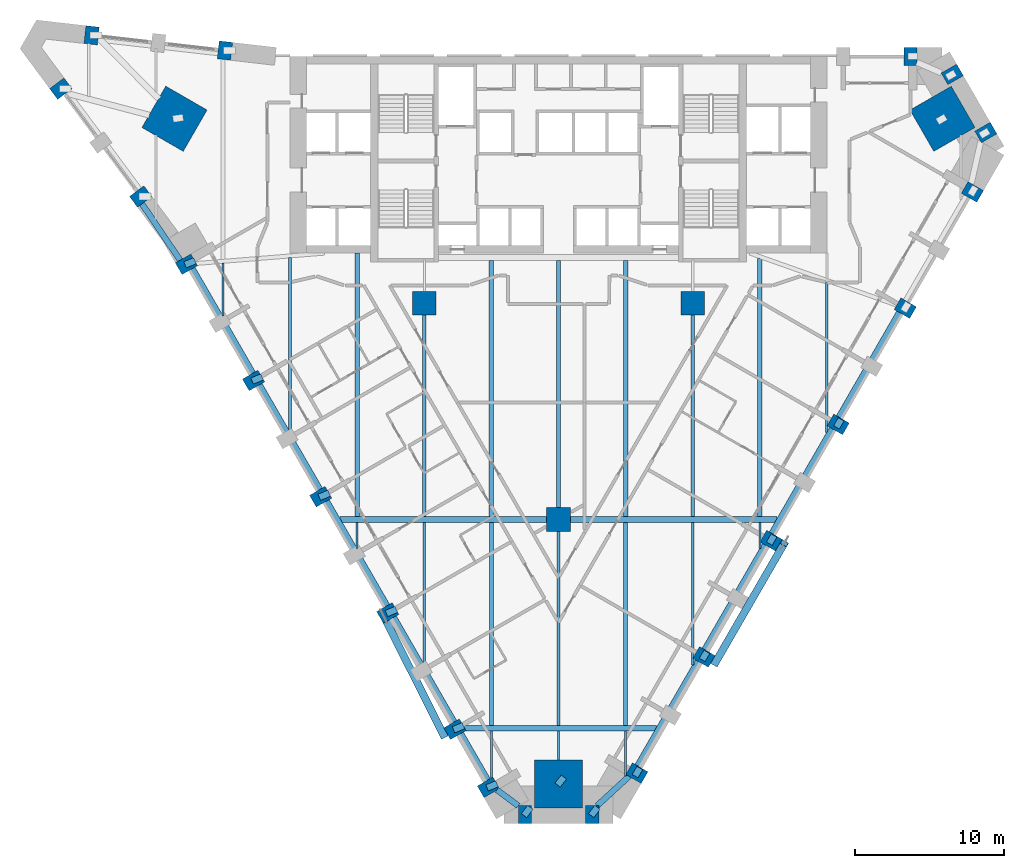
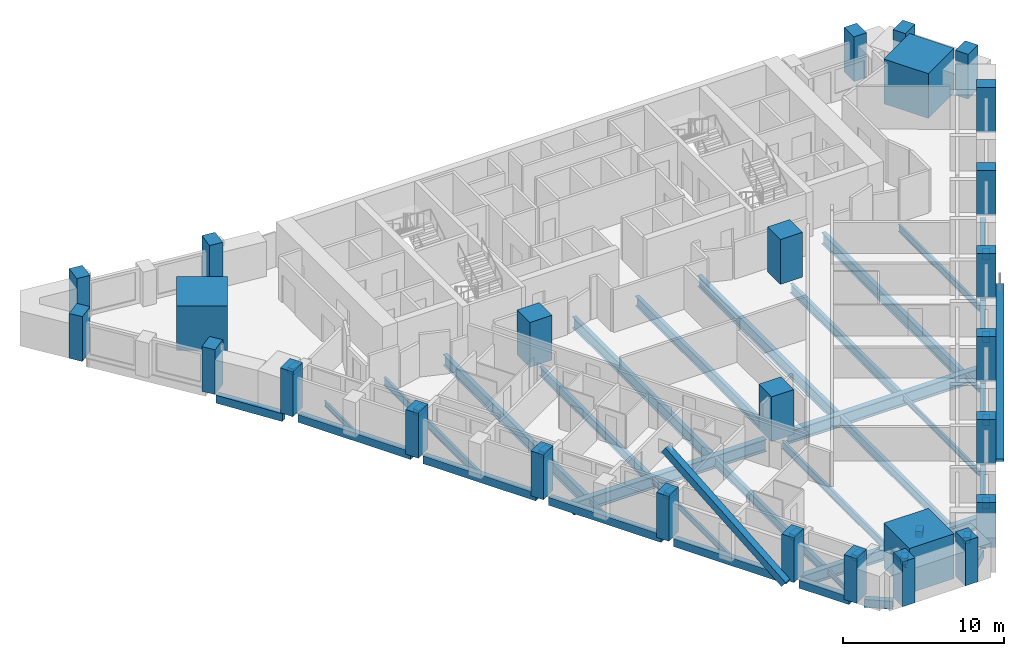
# One storey, part 1 of 11: 48 beams, 27 columns, 2 members.
"""IFC4 building model written with IfcOpenShell, lengths in metres."""

from ifc_helpers import new_model, si_unit, direction, frame, origin, origin_2d, place, context, subcontext, project, spatial, rectangle, hollow_rectangle, i_section, extrude, material, material_profile, profile_set, type_object, element, save


model = new_model("IFC4")

# Units and contexts
model_context = context("Model", 3, precision=1e-05, world=origin(), true_north=direction((0.0, 1.0)))
body_context = subcontext(model_context, "Body", "Model", "MODEL_VIEW")
ifc_project = project(units=[si_unit("LENGTHUNIT", "METRE"), si_unit("AREAUNIT", "SQUARE_METRE"), si_unit("VOLUMEUNIT", "CUBIC_METRE"), si_unit("PLANEANGLEUNIT", "RADIAN"), si_unit("MASSUNIT", "GRAM", prefix="KILO")], contexts=[model_context])

# Site, building, storey
site_placement = place(None, origin())
site = spatial("IfcSite", under=ifc_project, at=site_placement, CompositionType="ELEMENT")
building_placement = place(site_placement, origin())
building = spatial("IfcBuilding", under=site, at=building_placement, Name="Calabash Gate Tower", CompositionType="ELEMENT")
storey_placement = place(building_placement, frame((0.0, 0.0, 52.800048828125)))
storey = spatial("IfcBuildingStorey", under=building, at=storey_placement, Name="L08", CompositionType="ELEMENT", Elevation=52.800048828125)

# Columns
ifc_material_1 = material(Name="Concrete C80/95", Category="concrete")
ifc_material_profile_1 = material_profile(ifc_material_1, rectangle(XDim=1.60009765625, YDim=1.60009765625, at=origin_2d()))
ifc_profile_set_1 = profile_set([ifc_material_profile_1], Name="Concrete C80/95")
column_type_1 = type_object("IfcColumnType", Name="Interior column RC 1600x1600 Concrete C80/95", PredefinedType="COLUMN", material=ifc_profile_set_1)
for number, where, z_axis, x_axis, name in (
    (1, (-9.0, 2.5, 0.0), (0.0, 0.0, 1.0), (1.0, 0.0, 0.0), "Interior column L08 I0"),
    (2, (9.0, 2.5, 0.0), (0.0, 0.0, 1.0), (1.0, 0.0, 0.0), "Interior column L08 I1"),
    (3, (0.0, -12.0, 0.0), (0.0, 0.0, 1.0), (1.0, 0.0, 0.0), "Interior column L08 I2"),
):
    element("IfcColumn", number, at=place(storey_placement, frame(where, z_axis=z_axis, x_axis=x_axis)), inside=storey, type_object=column_type_1, Name=name, PredefinedType="COLUMN", context=body_context, shape_type="SweptSolid", body=[
        extrude(rectangle(XDim=1.60009765625, YDim=1.60009765625, at=origin_2d()), origin(), (0.0, 0.0, 1.0), 3.39990234375),
    ])
ifc_material_2 = material(Name="Concrete C80/95", Category="concrete")
ifc_material_profile_2 = material_profile(ifc_material_2, rectangle(XDim=3.199951171875, YDim=3.199951171875, at=origin_2d()))
ifc_profile_set_2 = profile_set([ifc_material_profile_2], Name="Concrete C80/95")
column_type_2 = type_object("IfcColumnType", Name="Mega column RC 3200x3200 Concrete C80/95", PredefinedType="COLUMN", material=ifc_profile_set_2)
for number, where, z_axis, x_axis, name in (
    (4, (-25.75, 14.866943359375, 0.0), (0.0, 0.0, 1.0), (0.866025386331, -0.50000003023, 0.0), "Mega column L08 NW"),
    (5, (25.75, 14.866943359375, 0.0), (0.0, 0.0, 1.0), (-0.866025386331, -0.50000003023, 0.0), "Mega column L08 NE"),
    (6, (0.0, -29.73291015625, 0.0), (0.0, 0.0, 1.0), (0.0, 1.0, 0.0), "Mega column L08 S"),
):
    element("IfcColumn", number, at=place(storey_placement, frame(where, z_axis=z_axis, x_axis=x_axis)), inside=storey, type_object=column_type_2, Name=name, PredefinedType="COLUMN", context=body_context, shape_type="SweptSolid", body=[
        extrude(rectangle(XDim=3.199951171875, YDim=3.199951171875, at=origin_2d()), origin(), (0.0, 0.0, 1.0), 3.39990234375),
    ])
ifc_material_3 = material(Name="Concrete C70/85", Category="concrete")
ifc_material_profile_3 = material_profile(ifc_material_3, rectangle(XDim=0.89990234375, YDim=1.199951171875, at=origin_2d()))
ifc_profile_set_3 = profile_set([ifc_material_profile_3], Name="Concrete C70/85")
column_type_3 = type_object("IfcColumnType", Name="Perimeter column RC 900x1200 Concrete C70/85", PredefinedType="COLUMN", material=ifc_profile_set_3)
for number, where, z_axis, x_axis, name in (
    (7, (-24.949951171875, 5.110107421875, 0.0), (0.0, 0.0, 1.0), (0.5, -0.866025403784, 0.0), "Perimeter column L08 P00"),
    (8, (-20.449951171875, -2.68310546875, 0.0), (0.0, 0.0, 1.0), (0.5, -0.866025403784, 0.0), "Perimeter column L08 P01"),
    (9, (-15.949951171875, -10.47900390625, 0.0), (0.0, 0.0, 1.0), (0.5, -0.866025403784, 0.0), "Perimeter column L08 P02"),
    (10, (-11.449951171875, -18.27294921875, 0.0), (0.0, 0.0, 1.0), (0.5, -0.866025403784, 0.0), "Perimeter column L08 P03"),
    (11, (-6.949951171875, -26.06689453125, 0.0), (0.0, 0.0, 1.0), (0.5, -0.866025403784, 0.0), "Perimeter column L08 P04"),
    (12, (-4.699951171875, -29.964111328125, 0.0), (0.0, 0.0, 1.0), (0.5, -0.866025403784, 0.0), "Perimeter column L08 P05"),
    (13, (-2.25, -31.782958984375, 0.0), (0.0, 0.0, 1.0), (1.0, 0.0, 0.0), "Perimeter column L08 P06"),
    (14, (2.25, -31.782958984375, 0.0), (0.0, 0.0, 1.0), (1.0, 0.0, 0.0), "Perimeter column L08 P07"),
    (15, (5.25, -29.011962890625, 0.0), (0.0, 0.0, 1.0), (0.5, 0.866025403784, 0.0), "Perimeter column L08 P08"),
    (16, (9.75, -21.218017578125, 0.0), (0.0, 0.0, 1.0), (0.5, 0.866025403784, 0.0), "Perimeter column L08 P09"),
    (17, (14.25, -13.423095703125, 0.0), (0.0, 0.0, 1.0), (0.5, 0.866025403784, 0.0), "Perimeter column L08 P10"),
    (18, (18.75, -5.62890625, 0.0), (0.0, 0.0, 1.0), (0.5, 0.866025403784, 0.0), "Perimeter column L08 P11"),
    (19, (23.25, 2.1669921875, 0.0), (0.0, 0.0, 1.0), (0.5, 0.866025403784, 0.0), "Perimeter column L08 P12"),
    (20, (27.75, 9.958984375, 0.0), (0.0, 0.0, 1.0), (0.5, 0.866025403784, 0.0), "Perimeter column L08 P13"),
    (21, (28.64990234375, 13.943115234375, 0.0), (0.0, 0.0, 1.0), (-0.49999996977, 0.866025421238, 0.0), "Perimeter column L08 P14"),
    (22, (26.39990234375, 17.840087890625, 0.0), (0.0, 0.0, 1.0), (-0.49999996977, 0.866025421238, 0.0), "Perimeter column L08 P15"),
    (23, (23.60009765625, 19.052978515625, 0.0), (0.0, 0.0, 1.0), (-1.0, 0.0, 0.0), "Perimeter column L08 P16"),
    (24, (-22.366943359375, 19.43798828125, 0.0), (0.0, 0.0, 1.0), (-0.993506319736, 0.113776942504, 0.0), "Perimeter column L08 P17"),
    (25, (-31.30908203125, 20.4619140625, 0.0), (0.0, 0.0, 1.0), (-0.993506319736, 0.113776942504, 0.0), "Perimeter column L08 P18"),
    (26, (-33.373046875, 16.883056640625, 0.0), (0.0, 0.0, 1.0), (0.595286896465, -0.80351323007, 0.0), "Perimeter column L08 P19"),
    (27, (-28.01806640625, 9.65087890625, 0.0), (0.0, 0.0, 1.0), (0.595286896465, -0.80351323007, 0.0), "Perimeter column L08 P20"),
):
    element("IfcColumn", number, at=place(storey_placement, frame(where, z_axis=z_axis, x_axis=x_axis)), inside=storey, type_object=column_type_3, Name=name, PredefinedType="COLUMN", context=body_context, shape_type="SweptSolid", body=[
        extrude(rectangle(XDim=0.89990234375, YDim=1.199951171875, at=origin_2d()), origin(), (0.0, 0.0, 1.0), 3.39990234375),
    ])

# Beams
ifc_material_4 = material(Name="Concrete C80/95", Category="concrete")
ifc_material_profile_4 = material_profile(ifc_material_4, rectangle(XDim=0.449951171875, YDim=0.449951171875, at=origin_2d()))
ifc_profile_set_4 = profile_set([ifc_material_profile_4], Name="Concrete C80/95")
beam_type_1 = type_object("IfcBeamType", Name="Column offset link RC 450x450 Concrete C80/95", PredefinedType="BEAM", material=ifc_profile_set_4)
for number, where, z_axis, x_axis, name in (
    (28, (-25.0419921875, 5.071044921875, 3.00390625), (0.922112578583, 0.386921687709, 0.0), (-0.386921687709, 0.922112578583, 0.0), "Column offset link L08 P00"),
    (29, (-20.5419921875, -2.722900390625, 3.00390625), (0.922233326358, 0.386633795412, 0.0), (-0.386633795412, 0.922233326358, 0.0), "Column offset link L08 P01"),
    (30, (-16.0419921875, -10.51806640625, 3.00390625), (0.922112578583, 0.386921687709, 0.0), (-0.386921687709, 0.922112578583, 0.0), "Column offset link L08 P02"),
    (31, (-11.5419921875, -18.31201171875, 3.00390625), (0.922112578583, 0.386921687709, 0.0), (-0.386921687709, 0.922112578583, 0.0), "Column offset link L08 P03"),
    (32, (-7.0419921875, -26.10595703125, 3.00390625), (0.922112578583, 0.386921687709, 0.0), (-0.386921687709, 0.922112578583, 0.0), "Column offset link L08 P04"),
    (33, (-4.7919921875, -30.0029296875, 3.00390625), (0.922233326358, 0.386633795412, 0.0), (-0.386633795412, 0.922233326358, 0.0), "Column offset link L08 P05"),
):
    element("IfcBeam", number, at=place(storey_placement, frame(where, z_axis=z_axis, x_axis=x_axis)), inside=storey, type_object=beam_type_1, Name=name, PredefinedType="BEAM", context=body_context, shape_type="SweptSolid", body=[
        extrude(rectangle(XDim=0.449951171875, YDim=0.449951171875, at=origin_2d()), origin(), (0.0, 0.0, 1.0), 0.72119140625),
    ])
for number, where, z_axis, x_axis, name in (
    (34, (-2.30908203125, -31.864013671875, 3.00390625), (0.594528073435, 0.804074853417, 0.0), (-0.804074853417, 0.594528073435, 0.0), "Column offset link L08 P06"),
    (35, (2.19091796875, -31.864013671875, 3.00390625), (0.594528073435, 0.804074853417, 0.0), (-0.804074853417, 0.594528073435, 0.0), "Column offset link L08 P07"),
):
    element("IfcBeam", number, at=place(storey_placement, frame(where, z_axis=z_axis, x_axis=x_axis)), inside=storey, type_object=beam_type_1, Name=name, PredefinedType="BEAM", context=body_context, shape_type="SweptSolid", body=[
        extrude(rectangle(XDim=0.449951171875, YDim=0.449951171875, at=origin_2d()), origin(), (0.0, 0.0, 1.0), 0.701416015625),
    ])
for number, where, z_axis, x_axis, name in (
    (36, (5.134033203125, -29.2119140625, 3.00390625), (0.500393920955, 0.865797853931, 0.0), (-0.865797853931, 0.500393920955, 0.0), "Column offset link L08 P08"),
    (37, (9.634033203125, -21.41796875, 3.00390625), (0.500393920955, 0.865797853931, 0.0), (-0.865797853931, 0.500393920955, 0.0), "Column offset link L08 P09"),
):
    element("IfcBeam", number, at=place(storey_placement, frame(where, z_axis=z_axis, x_axis=x_axis)), inside=storey, type_object=beam_type_1, Name=name, PredefinedType="BEAM", context=body_context, shape_type="SweptSolid", body=[
        extrude(rectangle(XDim=0.449951171875, YDim=0.449951171875, at=origin_2d()), origin(), (0.0, 0.0, 1.0), 0.62939453125),
    ])
for number, where, z_axis, x_axis, name in (
    (38, (14.134033203125, -13.6240234375, 3.00390625), (0.499554821267, 0.866282275329, 0.0), (-0.866282275329, 0.499554821267, 0.0), "Column offset link L08 P10"),
    (39, (18.634033203125, -5.830078125, 3.00390625), (0.499554821267, 0.866282275329, 0.0), (-0.866282275329, 0.499554821267, 0.0), "Column offset link L08 P11"),
):
    element("IfcBeam", number, at=place(storey_placement, frame(where, z_axis=z_axis, x_axis=x_axis)), inside=storey, type_object=beam_type_1, Name=name, PredefinedType="BEAM", context=body_context, shape_type="SweptSolid", body=[
        extrude(rectangle(XDim=0.449951171875, YDim=0.449951171875, at=origin_2d()), origin(), (0.0, 0.0, 1.0), 0.63037109375),
    ])
beam_1_placement = place(storey_placement, frame((-0.06201171875, -29.81201171875, 3.00390625), z_axis=(0.6165293764, 0.787331904622, 0.0), x_axis=(-0.787331904622, 0.6165293764, 0.0)))
element("IfcBeam", 40, at=beam_1_placement, inside=storey, type_object=beam_type_1, Name="Column offset link L08 S", PredefinedType="BEAM", context=body_context, shape_type="SweptSolid", body=[
    extrude(rectangle(XDim=0.449951171875, YDim=0.449951171875, at=origin_2d()), origin(), (0.0, 0.0, 1.0), 0.6845703125),
])
ifc_material_5 = material(Name="Concrete C60/75", Category="concrete")
ifc_material_profile_5 = material_profile(ifc_material_5, rectangle(XDim=0.39990234375, YDim=0.60009765625, at=origin_2d()))
ifc_profile_set_5 = profile_set([ifc_material_profile_5], Name="Concrete C60/75")
beam_type_2 = type_object("IfcBeamType", Name="Edge beam RC 400x600 Concrete C60/75", PredefinedType="BEAM", material=ifc_profile_set_5)
beam_2_placement = place(storey_placement, frame((-20.052001953125, -2.97412109375, -0.469970703125), z_axis=(0.499999880539, -0.866025472755, 0.0), x_axis=(0.866025472755, 0.499999880539, 0.0)))
element("IfcBeam", 41, at=beam_2_placement, inside=storey, type_object=beam_type_2, Name="Edge beam L08 1", PredefinedType="BEAM", context=body_context, shape_type="SweptSolid", body=[
    extrude(rectangle(XDim=0.39990234375, YDim=0.60009765625, at=origin_2d()), origin(), (0.0, 0.0, 1.0), 8.10009765625),
])
beam_3_placement = place(storey_placement, frame((-15.552001953125, -10.76904296875, -0.469970703125), z_axis=(0.50005208986, -0.865995327601, 0.0), x_axis=(0.865995327601, 0.50005208986, 0.0)))
element("IfcBeam", 42, at=beam_3_placement, inside=storey, type_object=beam_type_2, Name="Edge beam L08 2", PredefinedType="BEAM", context=body_context, shape_type="SweptSolid", body=[
    extrude(rectangle(XDim=0.39990234375, YDim=0.60009765625, at=origin_2d()), origin(), (0.0, 0.0, 1.0), 8.099365234375),
])
beam_4_placement = place(storey_placement, frame((-11.052001953125, -18.56298828125, -0.469970703125), z_axis=(0.499999880539, -0.866025472755, 0.0), x_axis=(0.866025472755, 0.499999880539, 0.0)))
element("IfcBeam", 43, at=beam_4_placement, inside=storey, type_object=beam_type_2, Name="Edge beam L08 3", PredefinedType="BEAM", context=body_context, shape_type="SweptSolid", body=[
    extrude(rectangle(XDim=0.39990234375, YDim=0.60009765625, at=origin_2d()), origin(), (0.0, 0.0, 1.0), 8.10009765625),
])
beam_5_placement = place(storey_placement, frame((-6.552001953125, -26.35693359375, -0.469970703125), z_axis=(0.500217689534, -0.865899684188, 0.0), x_axis=(0.865899684188, 0.500217689534, 0.0)))
element("IfcBeam", 44, at=beam_5_placement, inside=storey, type_object=beam_type_2, Name="Edge beam L08 4", PredefinedType="BEAM", context=body_context, shape_type="SweptSolid", body=[
    extrude(rectangle(XDim=0.39990234375, YDim=0.60009765625, at=origin_2d()), origin(), (0.0, 0.0, 1.0), 3.5986328125),
])
beam_6_placement = place(storey_placement, frame((-4.133056640625, -30.133056640625, -0.469970703125), z_axis=(0.802126667383, -0.59715392444, 0.0), x_axis=(0.59715392444, 0.802126667383, 0.0)))
element("IfcBeam", 45, at=beam_6_placement, inside=storey, type_object=beam_type_2, Name="Edge beam L08 5", PredefinedType="BEAM", context=body_context, shape_type="SweptSolid", body=[
    extrude(rectangle(XDim=0.39990234375, YDim=0.60009765625, at=origin_2d()), origin(), (0.0, 0.0, 1.0), 1.78662109375),
])
beam_7_placement = place(storey_placement, frame((2.5810546875, -31.202880859375, -0.469970703125), z_axis=(0.734549341338, 0.67855527788, 0.0), x_axis=(-0.67855527788, 0.734549341338, 0.0)))
element("IfcBeam", 46, at=beam_7_placement, inside=storey, type_object=beam_type_2, Name="Edge beam L08 6", PredefinedType="BEAM", context=body_context, shape_type="SweptSolid", body=[
    extrude(rectangle(XDim=0.39990234375, YDim=0.60009765625, at=origin_2d()), origin(), (0.0, 0.0, 1.0), 2.947509765625),
])
beam_8_placement = place(storey_placement, frame((5.302001953125, -28.52197265625, -0.469970703125), z_axis=(0.499999880539, 0.866025472755, 0.0), x_axis=(-0.866025472755, 0.499999880539, 0.0)))
element("IfcBeam", 47, at=beam_8_placement, inside=storey, type_object=beam_type_2, Name="Edge beam L08 7", PredefinedType="BEAM", context=body_context, shape_type="SweptSolid", body=[
    extrude(rectangle(XDim=0.39990234375, YDim=0.60009765625, at=origin_2d()), origin(), (0.0, 0.0, 1.0), 8.10009765625),
])
for number, where, z_axis, x_axis, name in (
    (48, (9.802001953125, -20.72802734375, -0.469970703125), (0.499986829629, 0.866033007568, 0.0), (-0.866033007568, 0.499986829629, 0.0), "Edge beam L08 8"),
    (49, (14.302001953125, -12.93408203125, -0.469970703125), (0.499986829629, 0.866033007568, 0.0), (-0.866033007568, 0.499986829629, 0.0), "Edge beam L08 9"),
):
    element("IfcBeam", number, at=place(storey_placement, frame(where, z_axis=z_axis, x_axis=x_axis)), inside=storey, type_object=beam_type_2, Name=name, PredefinedType="BEAM", context=body_context, shape_type="SweptSolid", body=[
        extrude(rectangle(XDim=0.39990234375, YDim=0.60009765625, at=origin_2d()), origin(), (0.0, 0.0, 1.0), 8.100341796875),
    ])
beam_9_placement = place(storey_placement, frame((18.802001953125, -5.138916015625, -0.469970703125), z_axis=(0.499947680303, 0.866055608468, 0.0), x_axis=(-0.866055608468, 0.499947680303, 0.0)))
element("IfcBeam", 50, at=beam_9_placement, inside=storey, type_object=beam_type_2, Name="Edge beam L08 10", PredefinedType="BEAM", context=body_context, shape_type="SweptSolid", body=[
    extrude(rectangle(XDim=0.39990234375, YDim=0.60009765625, at=origin_2d()), origin(), (0.0, 0.0, 1.0), 8.100830078125),
])
beam_10_placement = place(storey_placement, frame((-27.93896484375, 9.177001953125, -0.469970703125), z_axis=(0.559945084616, -0.828529723193, 0.0), x_axis=(0.828529723193, 0.559945084616, 0.0)))
element("IfcBeam", 51, at=beam_10_placement, inside=storey, type_object=beam_type_2, Name="Edge beam L08 18", PredefinedType="BEAM", context=body_context, shape_type="SweptSolid", body=[
    extrude(rectangle(XDim=0.39990234375, YDim=0.60009765625, at=origin_2d()), origin(), (0.0, 0.0, 1.0), 4.5986328125),
])
beam_11_placement = place(storey_placement, frame((-24.552001953125, 4.820068359375, -0.469970703125), z_axis=(0.500091252813, -0.865972712538, 0.0), x_axis=(0.865972712538, 0.500091252813, 0.0)))
element("IfcBeam", 52, at=beam_11_placement, inside=storey, type_object=beam_type_2, Name="Edge beam L08 19", PredefinedType="BEAM", context=body_context, shape_type="SweptSolid", body=[
    extrude(rectangle(XDim=0.39990234375, YDim=0.60009765625, at=origin_2d()), origin(), (0.0, 0.0, 1.0), 8.0986328125),
])
ifc_material_6 = material(Name="Steel ASTM A992 Gr50", Category="steel")
ifc_material_profile_6 = material_profile(ifc_material_6, i_section(OverallWidth=0.1396484375, OverallDepth=0.398681640625, WebThickness=0.00634765625, FlangeThickness=0.0087890625, FilletRadius=0.01025390625, at=origin_2d()))
ifc_profile_set_6 = profile_set([ifc_material_profile_6], Name="Steel ASTM A992 Gr50")
beam_type_3 = type_object("IfcBeamType", Name="Floor beam W16x26 ASTM A992 Gr50", PredefinedType="BEAM", material=ifc_profile_set_6)
beam_12_placement = place(storey_placement, frame((-22.5, 1.634033203125, -0.369140625), z_axis=(0.0, 1.0, 0.0), x_axis=(-1.0, 0.0, 0.0)))
element("IfcBeam", 53, at=beam_12_placement, inside=storey, type_object=beam_type_3, Name="Floor beam L08 4", PredefinedType="BEAM", context=body_context, shape_type="SweptSolid", body=[
    extrude(i_section(OverallWidth=0.1396484375, OverallDepth=0.398681640625, WebThickness=0.00634765625, FlangeThickness=0.0087890625, FilletRadius=0.01025390625, at=origin_2d()), origin(), (0.0, 0.0, 1.0), 3.56298828125),
])
beam_13_placement = place(storey_placement, frame((-13.5, -13.9541015625, -0.369140625), z_axis=(0.0, 1.0, 0.0), x_axis=(-1.0, 0.0, 0.0)))
element("IfcBeam", 54, at=beam_13_placement, inside=storey, type_object=beam_type_3, Name="Floor beam L08 7", PredefinedType="BEAM", context=body_context, shape_type="SweptSolid", body=[
    extrude(i_section(OverallWidth=0.1396484375, OverallDepth=0.398681640625, WebThickness=0.00634765625, FlangeThickness=0.0087890625, FilletRadius=0.01025390625, at=origin_2d()), origin(), (0.0, 0.0, 1.0), 1.744140625),
])
beam_14_placement = place(storey_placement, frame((-4.5, -29.35107421875, -0.369140625), z_axis=(0.0, 1.0, 0.0), x_axis=(-1.0, 0.0, 0.0)))
element("IfcBeam", 55, at=beam_14_placement, inside=storey, type_object=beam_type_3, Name="Floor beam L08 12", PredefinedType="BEAM", context=body_context, shape_type="SweptSolid", body=[
    extrude(i_section(OverallWidth=0.1396484375, OverallDepth=0.398681640625, WebThickness=0.00634765625, FlangeThickness=0.0087890625, FilletRadius=0.01025390625, at=origin_2d()), origin(), (0.0, 0.0, 1.0), 3.152099609375),
])
beam_15_placement = place(storey_placement, frame((0.0, -28.133056640625, -0.369140625), z_axis=(0.0, 1.0, 0.0), x_axis=(-1.0, 0.0, 0.0)))
element("IfcBeam", 56, at=beam_15_placement, inside=storey, type_object=beam_type_3, Name="Floor beam L08 15", PredefinedType="BEAM", context=body_context, shape_type="SweptSolid", body=[
    extrude(i_section(OverallWidth=0.1396484375, OverallDepth=0.398681640625, WebThickness=0.00634765625, FlangeThickness=0.0087890625, FilletRadius=0.01025390625, at=origin_2d()), origin(), (0.0, 0.0, 1.0), 1.93408203125),
])
beam_16_placement = place(storey_placement, frame((4.5, -29.19189453125, -0.369140625), z_axis=(0.0, 1.0, 0.0), x_axis=(-1.0, 0.0, 0.0)))
element("IfcBeam", 57, at=beam_16_placement, inside=storey, type_object=beam_type_3, Name="Floor beam L08 18", PredefinedType="BEAM", context=body_context, shape_type="SweptSolid", body=[
    extrude(i_section(OverallWidth=0.1396484375, OverallDepth=0.398681640625, WebThickness=0.00634765625, FlangeThickness=0.0087890625, FilletRadius=0.01025390625, at=origin_2d()), origin(), (0.0, 0.0, 1.0), 2.992919921875),
])
beam_17_placement = place(storey_placement, frame((13.5, -13.9541015625, -0.369140625), z_axis=(0.0, 1.0, 0.0), x_axis=(-1.0, 0.0, 0.0)))
element("IfcBeam", 58, at=beam_17_placement, inside=storey, type_object=beam_type_3, Name="Floor beam L08 24", PredefinedType="BEAM", context=body_context, shape_type="SweptSolid", body=[
    extrude(i_section(OverallWidth=0.1396484375, OverallDepth=0.398681640625, WebThickness=0.00634765625, FlangeThickness=0.0087890625, FilletRadius=0.01025390625, at=origin_2d()), origin(), (0.0, 0.0, 1.0), 1.744140625),
])
ifc_material_7 = material(Name="Steel ASTM A992 Gr50", Category="steel")
ifc_material_profile_7 = material_profile(ifc_material_7, i_section(OverallWidth=0.15234375, OverallDepth=0.44970703125, WebThickness=0.007568359375, FlangeThickness=0.0107421875, FilletRadius=0.01025390625, at=origin_2d()))
ifc_profile_set_7 = profile_set([ifc_material_profile_7], Name="Steel ASTM A992 Gr50")
beam_type_4 = type_object("IfcBeamType", Name="Floor beam W18x35 ASTM A992 Gr50", PredefinedType="BEAM", material=ifc_profile_set_7)
for number, where, z_axis, x_axis, name in (
    (59, (-9.0, -21.7490234375, -0.39306640625), (0.0, 1.0, 0.0), (-1.0, 0.0, 0.0), "Floor beam L08 9"),
    (60, (9.0, -21.7490234375, -0.39306640625), (0.0, 1.0, 0.0), (-1.0, 0.0, 0.0), "Floor beam L08 21"),
):
    element("IfcBeam", number, at=place(storey_placement, frame(where, z_axis=z_axis, x_axis=x_axis)), inside=storey, type_object=beam_type_4, Name=name, PredefinedType="BEAM", context=body_context, shape_type="SweptSolid", body=[
        extrude(i_section(OverallWidth=0.15234375, OverallDepth=0.44970703125, WebThickness=0.007568359375, FlangeThickness=0.0107421875, FilletRadius=0.01025390625, at=origin_2d()), origin(), (0.0, 0.0, 1.0), 9.5390625),
    ])
ifc_material_8 = material(Name="Steel ASTM A992 Gr50", Category="steel")
ifc_material_profile_8 = material_profile(ifc_material_8, i_section(OverallWidth=0.166015625, OverallDepth=0.5283203125, WebThickness=0.009765625, FlangeThickness=0.013671875, FilletRadius=0.0126953125, at=origin_2d()))
ifc_profile_set_8 = profile_set([ifc_material_profile_8], Name="Steel ASTM A992 Gr50")
beam_type_5 = type_object("IfcBeamType", Name="Floor beam W21x50 ASTM A992 Gr50", PredefinedType="BEAM", material=ifc_profile_set_8)
beam_18_placement = place(storey_placement, frame((18.0, -6.159912109375, -0.43408203125), z_axis=(0.0, 1.0, 0.0), x_axis=(-1.0, 0.0, 0.0)))
element("IfcBeam", 61, at=beam_18_placement, inside=storey, type_object=beam_type_5, Name="Floor beam L08 26", PredefinedType="BEAM", context=body_context, shape_type="SweptSolid", body=[
    extrude(i_section(OverallWidth=0.166015625, OverallDepth=0.5283203125, WebThickness=0.009765625, FlangeThickness=0.013671875, FilletRadius=0.0126953125, at=origin_2d()), origin(), (0.0, 0.0, 1.0), 10.055908203125),
])
ifc_material_9 = material(Name="Steel ASTM A992 Gr50", Category="steel")
ifc_material_profile_9 = material_profile(ifc_material_9, i_section(OverallWidth=0.1787109375, OverallDepth=0.60205078125, WebThickness=0.010986328125, FlangeThickness=0.014892578125, FilletRadius=0.0126953125, at=origin_2d()))
ifc_profile_set_9 = profile_set([ifc_material_profile_9], Name="Steel ASTM A992 Gr50")
beam_type_6 = type_object("IfcBeamType", Name="Floor beam W24x62 ASTM A992 Gr50", PredefinedType="BEAM", material=ifc_profile_set_9)
beam_19_placement = place(storey_placement, frame((-18.0, -6.159912109375, -0.470947265625), z_axis=(0.0, 1.0, 0.0), x_axis=(-1.0, 0.0, 0.0)))
element("IfcBeam", 62, at=beam_19_placement, inside=storey, type_object=beam_type_6, Name="Floor beam L08 6", PredefinedType="BEAM", context=body_context, shape_type="SweptSolid", body=[
    extrude(i_section(OverallWidth=0.1787109375, OverallDepth=0.60205078125, WebThickness=0.010986328125, FlangeThickness=0.014892578125, FilletRadius=0.0126953125, at=origin_2d()), origin(), (0.0, 0.0, 1.0), 11.718017578125),
])
beam_20_placement = place(storey_placement, frame((0.0, -25.801025390625, -0.470947265625), z_axis=(0.0, 1.0, 0.0), x_axis=(-1.0, 0.0, 0.0)))
element("IfcBeam", 63, at=beam_20_placement, inside=storey, type_object=beam_type_6, Name="Floor beam L08 16", PredefinedType="BEAM", context=body_context, shape_type="SweptSolid", body=[
    extrude(i_section(OverallWidth=0.1787109375, OverallDepth=0.60205078125, WebThickness=0.010986328125, FlangeThickness=0.014892578125, FilletRadius=0.0126953125, at=origin_2d()), origin(), (0.0, 0.0, 1.0), 13.0009765625),
])
ifc_material_10 = material(Name="Steel ASTM A992 Gr50", Category="steel")
ifc_material_profile_10 = material_profile(ifc_material_10, i_section(OverallWidth=0.25390625, OverallDepth=0.67822265625, WebThickness=0.01171875, FlangeThickness=0.016357421875, FilletRadius=0.01513671875, at=origin_2d()))
ifc_profile_set_10 = profile_set([ifc_material_profile_10], Name="Steel ASTM A992 Gr50")
beam_type_7 = type_object("IfcBeamType", Name="Floor beam W27x84 ASTM A992 Gr50", PredefinedType="BEAM", material=ifc_profile_set_10)
beam_21_placement = place(storey_placement, frame((-9.0, -11.7900390625, -0.509033203125), z_axis=(0.0, 1.0, 0.0), x_axis=(-1.0, 0.0, 0.0)))
element("IfcBeam", 64, at=beam_21_placement, inside=storey, type_object=beam_type_7, Name="Floor beam L08 10", PredefinedType="BEAM", context=body_context, shape_type="SweptSolid", body=[
    extrude(i_section(OverallWidth=0.25390625, OverallDepth=0.67822265625, WebThickness=0.01171875, FlangeThickness=0.016357421875, FilletRadius=0.01513671875, at=origin_2d()), origin(), (0.0, 0.0, 1.0), 13.489990234375),
])
for number, where, z_axis, x_axis, name in (
    (65, (-4.5, -25.801025390625, -0.509033203125), (0.0, 1.0, 0.0), (-1.0, 0.0, 0.0), "Floor beam L08 13"),
    (66, (4.5, -25.801025390625, -0.509033203125), (0.0, 1.0, 0.0), (-1.0, 0.0, 0.0), "Floor beam L08 19"),
):
    element("IfcBeam", number, at=place(storey_placement, frame(where, z_axis=z_axis, x_axis=x_axis)), inside=storey, type_object=beam_type_7, Name=name, PredefinedType="BEAM", context=body_context, shape_type="SweptSolid", body=[
        extrude(i_section(OverallWidth=0.25390625, OverallDepth=0.67822265625, WebThickness=0.01171875, FlangeThickness=0.016357421875, FilletRadius=0.01513671875, at=origin_2d()), origin(), (0.0, 0.0, 1.0), 13.591064453125),
    ])
beam_22_placement = place(storey_placement, frame((9.0, -11.7900390625, -0.509033203125), z_axis=(0.0, 1.0, 0.0), x_axis=(-1.0, 0.0, 0.0)))
element("IfcBeam", 67, at=beam_22_placement, inside=storey, type_object=beam_type_7, Name="Floor beam L08 22", PredefinedType="BEAM", context=body_context, shape_type="SweptSolid", body=[
    extrude(i_section(OverallWidth=0.25390625, OverallDepth=0.67822265625, WebThickness=0.01171875, FlangeThickness=0.016357421875, FilletRadius=0.01513671875, at=origin_2d()), origin(), (0.0, 0.0, 1.0), 13.489990234375),
])
ifc_material_11 = material(Name="Steel ASTM A992 Gr50", Category="steel")
ifc_material_profile_11 = material_profile(ifc_material_11, i_section(OverallWidth=0.2666015625, OverallDepth=0.7568359375, WebThickness=0.013916015625, FlangeThickness=0.019287109375, FilletRadius=0.0166015625, at=origin_2d()))
ifc_profile_set_11 = profile_set([ifc_material_profile_11], Name="Steel ASTM A992 Gr50")
beam_type_8 = type_object("IfcBeamType", Name="Floor beam W30x108 ASTM A992 Gr50", PredefinedType="BEAM", material=ifc_profile_set_11)
beam_23_placement = place(storey_placement, frame((0.0, -11.199951171875, -0.548095703125), z_axis=(0.0, 1.0, 0.0), x_axis=(-1.0, 0.0, 0.0)))
element("IfcBeam", 68, at=beam_23_placement, inside=storey, type_object=beam_type_8, Name="Floor beam L08 17", PredefinedType="BEAM", context=body_context, shape_type="SweptSolid", body=[
    extrude(i_section(OverallWidth=0.2666015625, OverallDepth=0.7568359375, WebThickness=0.013916015625, FlangeThickness=0.019287109375, FilletRadius=0.0166015625, at=origin_2d()), origin(), (0.0, 0.0, 1.0), 16.552001953125),
])
ifc_material_12 = material(Name="Steel ASTM A992 Gr50", Category="steel")
ifc_material_profile_12 = material_profile(ifc_material_12, i_section(OverallWidth=0.2919921875, OverallDepth=0.845703125, WebThickness=0.015380859375, FlangeThickness=0.0244140625, FilletRadius=0.017822265625, at=origin_2d()))
ifc_profile_set_12 = profile_set([ifc_material_profile_12], Name="Steel ASTM A992 Gr50")
beam_type_9 = type_object("IfcBeamType", Name="Floor beam W33x141 ASTM A992 Gr50", PredefinedType="BEAM", material=ifc_profile_set_12)
beam_24_placement = place(storey_placement, frame((-13.5, -11.7900390625, -0.593017578125), z_axis=(0.0, 1.0, 0.0), x_axis=(-1.0, 0.0, 0.0)))
element("IfcBeam", 69, at=beam_24_placement, inside=storey, type_object=beam_type_9, Name="Floor beam L08 8", PredefinedType="BEAM", context=body_context, shape_type="SweptSolid", body=[
    extrude(i_section(OverallWidth=0.2919921875, OverallDepth=0.845703125, WebThickness=0.015380859375, FlangeThickness=0.0244140625, FilletRadius=0.017822265625, at=origin_2d()), origin(), (0.0, 0.0, 1.0), 17.64306640625),
])
for number, where, z_axis, x_axis, name in (
    (70, (-4.5, -11.7900390625, -0.593017578125), (0.0, 1.0, 0.0), (-1.0, 0.0, 0.0), "Floor beam L08 14"),
    (71, (4.5, -11.7900390625, -0.593017578125), (0.0, 1.0, 0.0), (-1.0, 0.0, 0.0), "Floor beam L08 20"),
):
    element("IfcBeam", number, at=place(storey_placement, frame(where, z_axis=z_axis, x_axis=x_axis)), inside=storey, type_object=beam_type_9, Name=name, PredefinedType="BEAM", context=body_context, shape_type="SweptSolid", body=[
        extrude(i_section(OverallWidth=0.2919921875, OverallDepth=0.845703125, WebThickness=0.015380859375, FlangeThickness=0.0244140625, FilletRadius=0.017822265625, at=origin_2d()), origin(), (0.0, 0.0, 1.0), 17.14208984375),
    ])
beam_25_placement = place(storey_placement, frame((13.5, -11.7900390625, -0.593017578125), z_axis=(0.0, 1.0, 0.0), x_axis=(-1.0, 0.0, 0.0)))
element("IfcBeam", 72, at=beam_25_placement, inside=storey, type_object=beam_type_9, Name="Floor beam L08 25", PredefinedType="BEAM", context=body_context, shape_type="SweptSolid", body=[
    extrude(i_section(OverallWidth=0.2919921875, OverallDepth=0.845703125, WebThickness=0.015380859375, FlangeThickness=0.0244140625, FilletRadius=0.017822265625, at=origin_2d()), origin(), (0.0, 0.0, 1.0), 17.301025390625),
])
ifc_material_13 = material(Name="Steel ASTM A992 Gr50", Category="steel")
ifc_material_profile_13 = material_profile(ifc_material_13, i_section(OverallWidth=0.398681640625, OverallDepth=0.85595703125, WebThickness=0.018310546875, FlangeThickness=0.029296875, FilletRadius=0.02001953125, at=origin_2d()))
ifc_profile_set_13 = profile_set([ifc_material_profile_13], Name="Steel ASTM A992 Gr50")
beam_type_10 = type_object("IfcBeamType", Name="Girder W33x201 ASTM A992 Gr50", PredefinedType="BEAM", material=ifc_profile_set_13)
beam_26_placement = place(storey_placement, frame((-6.327880859375, -26.0, -0.59814453125), z_axis=(1.0, 0.0, 0.0), x_axis=(0.0, 1.0, 0.0)))
element("IfcBeam", 73, at=beam_26_placement, inside=storey, type_object=beam_type_10, Name="Girder L08 6", PredefinedType="BEAM", context=body_context, shape_type="SweptSolid", body=[
    extrude(i_section(OverallWidth=0.398681640625, OverallDepth=0.85595703125, WebThickness=0.018310546875, FlangeThickness=0.029296875, FilletRadius=0.02001953125, at=origin_2d()), origin(), (0.0, 0.0, 1.0), 12.886962890625),
])
ifc_material_14 = material(Name="Steel ASTM A992 Gr50", Category="steel")
ifc_material_profile_14 = material_profile(ifc_material_14, i_section(OverallWidth=0.419189453125, OverallDepth=0.927001953125, WebThickness=0.019287109375, FlangeThickness=0.031982421875, FilletRadius=0.024169921875, at=origin_2d()))
ifc_profile_set_14 = profile_set([ifc_material_profile_14], Name="Steel ASTM A992 Gr50")
beam_type_11 = type_object("IfcBeamType", Name="Girder W36x231 ASTM A992 Gr50", PredefinedType="BEAM", material=ifc_profile_set_14)
for number, where, z_axis, x_axis, name in (
    (74, (-14.64208984375, -12.0, -0.634033203125), (1.0, 0.0, 0.0), (0.0, 1.0, 0.0), "Girder L08 4"),
    (75, (0.800048828125, -12.0, -0.634033203125), (1.0, 0.0, 0.0), (0.0, 1.0, 0.0), "Girder L08 5"),
):
    element("IfcBeam", number, at=place(storey_placement, frame(where, z_axis=z_axis, x_axis=x_axis)), inside=storey, type_object=beam_type_11, Name=name, PredefinedType="BEAM", context=body_context, shape_type="SweptSolid", body=[
        extrude(i_section(OverallWidth=0.419189453125, OverallDepth=0.927001953125, WebThickness=0.019287109375, FlangeThickness=0.031982421875, FilletRadius=0.024169921875, at=origin_2d()), origin(), (0.0, 0.0, 1.0), 13.842041015625),
    ])

# Members
ifc_material_15 = material(Name="Steel ASTM A500 Gr C", Category="steel")
ifc_material_profile_15 = material_profile(ifc_material_15, hollow_rectangle(XDim=0.508056640625, YDim=0.508056640625, WallThickness=0.01904296875, at=origin_2d()))
ifc_profile_set_15 = profile_set([ifc_material_profile_15], Name="Steel ASTM A500 Gr C")
member_type = type_object("IfcMemberType", Name="Mega-brace HSS20X20X.750 ASTM A500 Gr C", PredefinedType="BRACE", material=ifc_profile_set_15)
member_1_placement = place(storey_placement, frame((-7.689697265625, -26.494384765625, 0.0), z_axis=(-0.357619015443, 0.711393365815, 0.605002577571), x_axis=(-0.893459380506, -0.449144002951, 0.0)))
element("IfcMember", 76, at=member_1_placement, inside=storey, type_object=member_type, Name="Mega-brace SW Z1 2", PredefinedType="BRACE", context=body_context, shape_type="SweptSolid", body=[
    extrude(hollow_rectangle(XDim=0.508056640625, YDim=0.508056640625, WallThickness=0.01904296875, at=origin_2d()), origin(), (0.0, 0.0, 1.0), 11.23974609375),
])
member_2_placement = place(storey_placement, frame((10.489501953125, -21.64453125, 0.0), z_axis=(0.403592566615, 0.699033430902, 0.590309497344), x_axis=(-0.866022492378, 0.500005042669, 0.0)))
element("IfcMember", 77, at=member_2_placement, inside=storey, type_object=member_type, Name="Mega-brace SE Z1 7", PredefinedType="BRACE", context=body_context, shape_type="SweptSolid", body=[
    extrude(hollow_rectangle(XDim=0.508056640625, YDim=0.508056640625, WallThickness=0.01904296875, at=origin_2d()), origin(), (0.0, 0.0, 1.0), 11.51953125),
])

save(model, "model.ifc")
